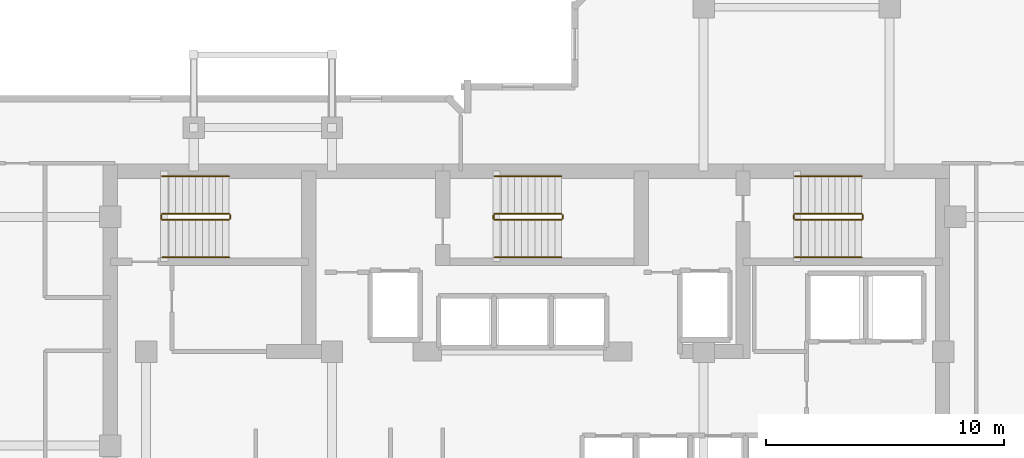
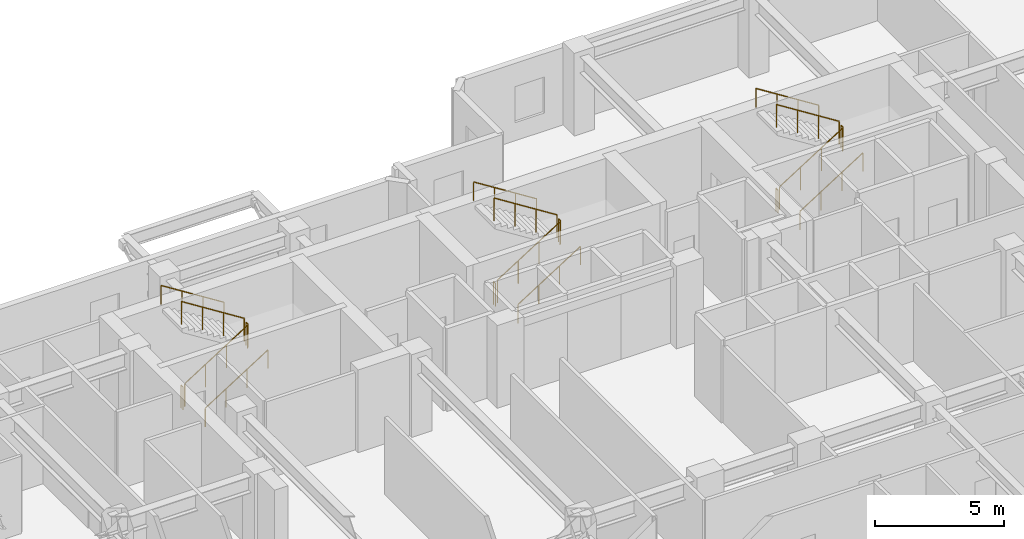
# One storey, part 11 of 11: 18 railings.
"""IFC4 building model written with IfcOpenShell, lengths in metres."""

from ifc_helpers import new_model, si_unit, direction, frame, origin, origin_2d, place, context, subcontext, project, spatial, circle, extrude, material, type_object, element, save


model = new_model("IFC4")

# Units and contexts
model_context = context("Model", 3, precision=1e-05, world=origin(), true_north=direction((0.0, 1.0)))
body_context = subcontext(model_context, "Body", "Model", "MODEL_VIEW")
ifc_project = project(units=[si_unit("LENGTHUNIT", "METRE"), si_unit("AREAUNIT", "SQUARE_METRE"), si_unit("VOLUMEUNIT", "CUBIC_METRE"), si_unit("PLANEANGLEUNIT", "RADIAN"), si_unit("MASSUNIT", "GRAM", prefix="KILO")], contexts=[model_context])

# Site, building, storey
site_placement = place(None, origin())
site = spatial("IfcSite", under=ifc_project, at=site_placement, CompositionType="ELEMENT")
building_placement = place(site_placement, origin())
building = spatial("IfcBuilding", under=site, at=building_placement, Name="Kestravale Grand Hotel", CompositionType="ELEMENT")
storey_placement = place(building_placement, frame((0.0, 0.0, 208.5)))
storey = spatial("IfcBuildingStorey", under=building, at=storey_placement, Name="L52", CompositionType="ELEMENT", Elevation=208.5)

# Railings
ifc_material_1 = material(Name="Painted tubular steel stair well guard", Category="steel")
railing_type_1 = type_object("IfcRailingType", Name="RL-ST-GRD1100", PredefinedType="GUARDRAIL", material=ifc_material_1)
railing_1_placement = place(storey_placement, frame((24.080078125, 38.280029296875, 0.17724609375)))
element("IfcRailing", 1, at=railing_1_placement, inside=storey, type_object=railing_type_1, Name="L52 ST-1 stair guard 1", PredefinedType="GUARDRAIL", context=body_context, shape_type="SweptSolid", body=[
    extrude(circle(Radius=0.02392578125, at=origin_2d()), frame((0.0, 0.0, 1.076171875), z_axis=(0.844887892834, 0.0, 0.53494340686), x_axis=(0.0, 1.0, 0.0)), (0.0, 0.0, 1.0), 3.313720703125),
    extrude(circle(Radius=0.02099609375, at=origin_2d()), origin(), (0.0, 0.0, 1.0), 1.052001953125),
    extrude(circle(Radius=0.02099609375, at=origin_2d()), frame((0.933349609375, 0.0, 0.5908203125)), (0.0, 0.0, 1.0), 1.052001953125),
    extrude(circle(Radius=0.02099609375, at=origin_2d()), frame((1.866455078125, 0.0, 1.181884765625)), (0.0, 0.0, 1.0), 1.052001953125),
    extrude(circle(Radius=0.02099609375, at=origin_2d()), frame((2.7998046875, 0.0, 1.772705078125)), (0.0, 0.0, 1.0), 1.052001953125),
])
railing_2_placement = place(storey_placement, frame((26.929931640625, 38.330078125, 1.949951171875)))
element("IfcRailing", 2, at=railing_2_placement, inside=storey, type_object=railing_type_1, Name="L52 ST-1 stair guard 2", PredefinedType="GUARDRAIL", context=body_context, shape_type="SweptSolid", body=[
    extrude(circle(Radius=0.02392578125, at=origin_2d()), frame((0.0, 0.0, 1.076171875), z_axis=(0.0, 1.0, 0.0), x_axis=(-1.0, 0.0, 0.0)), (0.0, 0.0, 1.0), 0.14990234375),
    extrude(circle(Radius=0.02099609375, at=origin_2d()), origin(), (0.0, 0.0, 1.0), 1.052001953125),
    extrude(circle(Radius=0.02099609375, at=origin_2d()), frame((0.0, 0.14990234375, 0.0)), (0.0, 0.0, 1.0), 1.052001953125),
])
railing_3_placement = place(storey_placement, frame((26.8798828125, 38.530029296875, 2.127197265625)))
element("IfcRailing", 3, at=railing_3_placement, inside=storey, type_object=railing_type_1, Name="L52 ST-1 stair guard 3", PredefinedType="GUARDRAIL", context=body_context, shape_type="SweptSolid", body=[
    extrude(circle(Radius=0.02392578125, at=origin_2d()), frame((0.0, 0.0, 1.076171875), z_axis=(-0.844887892834, 0.0, 0.53494340686), x_axis=(0.0, -1.0, 0.0)), (0.0, 0.0, 1.0), 3.313720703125),
    extrude(circle(Radius=0.02099609375, at=origin_2d()), origin(), (0.0, 0.0, 1.0), 1.052001953125),
    extrude(circle(Radius=0.02099609375, at=origin_2d()), frame((-0.933349609375, 0.0, 0.5908203125)), (0.0, 0.0, 1.0), 1.052001953125),
    extrude(circle(Radius=0.02099609375, at=origin_2d()), frame((-1.866455078125, 0.0, 1.181884765625)), (0.0, 0.0, 1.0), 1.052001953125),
    extrude(circle(Radius=0.02099609375, at=origin_2d()), frame((-2.7998046875, 0.0, 1.772705078125)), (0.0, 0.0, 1.0), 1.052001953125),
])
railing_4_placement = place(storey_placement, frame((24.030029296875, 38.330078125, 0.0)))
element("IfcRailing", 4, at=railing_4_placement, inside=storey, type_object=railing_type_1, Name="L52 ST-1 stair guard 4", PredefinedType="GUARDRAIL", context=body_context, shape_type="SweptSolid", body=[
    extrude(circle(Radius=0.02392578125, at=origin_2d()), frame((0.0, 0.0, 1.076171875), z_axis=(0.0, 1.0, 0.0), x_axis=(-1.0, 0.0, 0.0)), (0.0, 0.0, 1.0), 0.14990234375),
    extrude(circle(Radius=0.02099609375, at=origin_2d()), origin(), (0.0, 0.0, 1.0), 1.052001953125),
    extrude(circle(Radius=0.02099609375, at=origin_2d()), frame((0.0, 0.14990234375, 0.0)), (0.0, 0.0, 1.0), 1.052001953125),
])
railing_5_placement = place(storey_placement, frame((38.030029296875, 38.280029296875, 0.17724609375)))
element("IfcRailing", 5, at=railing_5_placement, inside=storey, type_object=railing_type_1, Name="L52 ST-2 stair guard 1", PredefinedType="GUARDRAIL", context=body_context, shape_type="SweptSolid", body=[
    extrude(circle(Radius=0.02392578125, at=origin_2d()), frame((0.0, 0.0, 1.076171875), z_axis=(0.844908973607, 0.0, 0.534910110503), x_axis=(0.0, 1.0, 0.0)), (0.0, 0.0, 1.0), 3.31396484375),
    extrude(circle(Radius=0.02099609375, at=origin_2d()), origin(), (0.0, 0.0, 1.0), 1.052001953125),
    extrude(circle(Radius=0.02099609375, at=origin_2d()), frame((0.933349609375, 0.0, 0.5908203125)), (0.0, 0.0, 1.0), 1.052001953125),
    extrude(circle(Radius=0.02099609375, at=origin_2d()), frame((1.86669921875, 0.0, 1.181884765625)), (0.0, 0.0, 1.0), 1.052001953125),
    extrude(circle(Radius=0.02099609375, at=origin_2d()), frame((2.800048828125, 0.0, 1.772705078125)), (0.0, 0.0, 1.0), 1.052001953125),
])
railing_6_placement = place(storey_placement, frame((40.8798828125, 38.330078125, 1.949951171875)))
element("IfcRailing", 6, at=railing_6_placement, inside=storey, type_object=railing_type_1, Name="L52 ST-2 stair guard 2", PredefinedType="GUARDRAIL", context=body_context, shape_type="SweptSolid", body=[
    extrude(circle(Radius=0.02392578125, at=origin_2d()), frame((0.0, 0.0, 1.076171875), z_axis=(0.0, 1.0, 0.0), x_axis=(-1.0, 0.0, 0.0)), (0.0, 0.0, 1.0), 0.14990234375),
    extrude(circle(Radius=0.02099609375, at=origin_2d()), origin(), (0.0, 0.0, 1.0), 1.052001953125),
    extrude(circle(Radius=0.02099609375, at=origin_2d()), frame((0.0, 0.14990234375, 0.0)), (0.0, 0.0, 1.0), 1.052001953125),
])
railing_7_placement = place(storey_placement, frame((40.830078125, 38.530029296875, 2.127197265625)))
element("IfcRailing", 7, at=railing_7_placement, inside=storey, type_object=railing_type_1, Name="L52 ST-2 stair guard 3", PredefinedType="GUARDRAIL", context=body_context, shape_type="SweptSolid", body=[
    extrude(circle(Radius=0.02392578125, at=origin_2d()), frame((0.0, 0.0, 1.076171875), z_axis=(-0.844908973607, 0.0, 0.534910110503), x_axis=(0.0, -1.0, 0.0)), (0.0, 0.0, 1.0), 3.31396484375),
    extrude(circle(Radius=0.02099609375, at=origin_2d()), origin(), (0.0, 0.0, 1.0), 1.052001953125),
    extrude(circle(Radius=0.02099609375, at=origin_2d()), frame((-0.933349609375, 0.0, 0.5908203125)), (0.0, 0.0, 1.0), 1.052001953125),
    extrude(circle(Radius=0.02099609375, at=origin_2d()), frame((-1.86669921875, 0.0, 1.181884765625)), (0.0, 0.0, 1.0), 1.052001953125),
    extrude(circle(Radius=0.02099609375, at=origin_2d()), frame((-2.800048828125, 0.0, 1.772705078125)), (0.0, 0.0, 1.0), 1.052001953125),
])
railing_8_placement = place(storey_placement, frame((37.97998046875, 38.330078125, 0.0)))
element("IfcRailing", 8, at=railing_8_placement, inside=storey, type_object=railing_type_1, Name="L52 ST-2 stair guard 4", PredefinedType="GUARDRAIL", context=body_context, shape_type="SweptSolid", body=[
    extrude(circle(Radius=0.02392578125, at=origin_2d()), frame((0.0, 0.0, 1.076171875), z_axis=(0.0, 1.0, 0.0), x_axis=(-1.0, 0.0, 0.0)), (0.0, 0.0, 1.0), 0.14990234375),
    extrude(circle(Radius=0.02099609375, at=origin_2d()), origin(), (0.0, 0.0, 1.0), 1.052001953125),
    extrude(circle(Radius=0.02099609375, at=origin_2d()), frame((0.0, 0.14990234375, 0.0)), (0.0, 0.0, 1.0), 1.052001953125),
])
railing_9_placement = place(storey_placement, frame((50.6298828125, 38.280029296875, 0.17724609375)))
element("IfcRailing", 9, at=railing_9_placement, inside=storey, type_object=railing_type_1, Name="L52 ST-3 stair guard 1", PredefinedType="GUARDRAIL", context=body_context, shape_type="SweptSolid", body=[
    extrude(circle(Radius=0.02392578125, at=origin_2d()), frame((0.0, 0.0, 1.076171875), z_axis=(0.844908973607, 0.0, 0.534910110503), x_axis=(0.0, 1.0, 0.0)), (0.0, 0.0, 1.0), 3.31396484375),
    extrude(circle(Radius=0.02099609375, at=origin_2d()), origin(), (0.0, 0.0, 1.0), 1.052001953125),
    extrude(circle(Radius=0.02099609375, at=origin_2d()), frame((0.933349609375, 0.0, 0.5908203125)), (0.0, 0.0, 1.0), 1.052001953125),
    extrude(circle(Radius=0.02099609375, at=origin_2d()), frame((1.86669921875, 0.0, 1.181884765625)), (0.0, 0.0, 1.0), 1.052001953125),
    extrude(circle(Radius=0.02099609375, at=origin_2d()), frame((2.800048828125, 0.0, 1.772705078125)), (0.0, 0.0, 1.0), 1.052001953125),
])
railing_10_placement = place(storey_placement, frame((53.47998046875, 38.330078125, 1.949951171875)))
element("IfcRailing", 10, at=railing_10_placement, inside=storey, type_object=railing_type_1, Name="L52 ST-3 stair guard 2", PredefinedType="GUARDRAIL", context=body_context, shape_type="SweptSolid", body=[
    extrude(circle(Radius=0.02392578125, at=origin_2d()), frame((0.0, 0.0, 1.076171875), z_axis=(0.0, 1.0, 0.0), x_axis=(-1.0, 0.0, 0.0)), (0.0, 0.0, 1.0), 0.14990234375),
    extrude(circle(Radius=0.02099609375, at=origin_2d()), origin(), (0.0, 0.0, 1.0), 1.052001953125),
    extrude(circle(Radius=0.02099609375, at=origin_2d()), frame((0.0, 0.14990234375, 0.0)), (0.0, 0.0, 1.0), 1.052001953125),
])
railing_11_placement = place(storey_placement, frame((53.429931640625, 38.530029296875, 2.127197265625)))
element("IfcRailing", 11, at=railing_11_placement, inside=storey, type_object=railing_type_1, Name="L52 ST-3 stair guard 3", PredefinedType="GUARDRAIL", context=body_context, shape_type="SweptSolid", body=[
    extrude(circle(Radius=0.02392578125, at=origin_2d()), frame((0.0, 0.0, 1.076171875), z_axis=(-0.844908973607, 0.0, 0.534910110503), x_axis=(0.0, -1.0, 0.0)), (0.0, 0.0, 1.0), 3.31396484375),
    extrude(circle(Radius=0.02099609375, at=origin_2d()), origin(), (0.0, 0.0, 1.0), 1.052001953125),
    extrude(circle(Radius=0.02099609375, at=origin_2d()), frame((-0.933349609375, 0.0, 0.5908203125)), (0.0, 0.0, 1.0), 1.052001953125),
    extrude(circle(Radius=0.02099609375, at=origin_2d()), frame((-1.86669921875, 0.0, 1.181884765625)), (0.0, 0.0, 1.0), 1.052001953125),
    extrude(circle(Radius=0.02099609375, at=origin_2d()), frame((-2.800048828125, 0.0, 1.772705078125)), (0.0, 0.0, 1.0), 1.052001953125),
])
railing_12_placement = place(storey_placement, frame((50.580078125, 38.330078125, 0.0)))
element("IfcRailing", 12, at=railing_12_placement, inside=storey, type_object=railing_type_1, Name="L52 ST-3 stair guard 4", PredefinedType="GUARDRAIL", context=body_context, shape_type="SweptSolid", body=[
    extrude(circle(Radius=0.02392578125, at=origin_2d()), frame((0.0, 0.0, 1.076171875), z_axis=(0.0, 1.0, 0.0), x_axis=(-1.0, 0.0, 0.0)), (0.0, 0.0, 1.0), 0.14990234375),
    extrude(circle(Radius=0.02099609375, at=origin_2d()), origin(), (0.0, 0.0, 1.0), 1.052001953125),
    extrude(circle(Radius=0.02099609375, at=origin_2d()), frame((0.0, 0.14990234375, 0.0)), (0.0, 0.0, 1.0), 1.052001953125),
])
ifc_material_2 = material(Name="Brushed stainless steel wall handrail", Category="steel")
railing_type_2 = type_object("IfcRailingType", Name="RL-ST-HND900", PredefinedType="HANDRAIL", material=ifc_material_2)
railing_13_placement = place(storey_placement, frame((24.080078125, 36.699951171875, 0.17724609375)))
element("IfcRailing", 13, at=railing_13_placement, inside=storey, type_object=railing_type_2, Name="L52 ST-1 stair handrail 1", PredefinedType="HANDRAIL", context=body_context, shape_type="SweptSolid", body=[
    extrude(circle(Radius=0.02392578125, at=origin_2d()), frame((0.0, 0.0, 0.8759765625), z_axis=(0.844887892834, 0.0, 0.53494340686), x_axis=(0.0, 1.0, 0.0)), (0.0, 0.0, 1.0), 3.313720703125),
    extrude(circle(Radius=0.02099609375, at=origin_2d()), origin(), (0.0, 0.0, 1.0), 0.851806640625),
    extrude(circle(Radius=0.02099609375, at=origin_2d()), frame((0.933349609375, 0.0, 0.5908203125)), (0.0, 0.0, 1.0), 0.851806640625),
    extrude(circle(Radius=0.02099609375, at=origin_2d()), frame((1.866455078125, 0.0, 1.181884765625)), (0.0, 0.0, 1.0), 0.851806640625),
    extrude(circle(Radius=0.02099609375, at=origin_2d()), frame((2.7998046875, 0.0, 1.772705078125)), (0.0, 0.0, 1.0), 0.851806640625),
])
railing_14_placement = place(storey_placement, frame((26.8798828125, 40.110107421875, 2.127197265625)))
element("IfcRailing", 14, at=railing_14_placement, inside=storey, type_object=railing_type_2, Name="L52 ST-1 stair handrail 2", PredefinedType="HANDRAIL", context=body_context, shape_type="SweptSolid", body=[
    extrude(circle(Radius=0.02392578125, at=origin_2d()), frame((0.0, 0.0, 0.8759765625), z_axis=(-0.844887892834, 0.0, 0.53494340686), x_axis=(0.0, -1.0, 0.0)), (0.0, 0.0, 1.0), 3.313720703125),
    extrude(circle(Radius=0.02099609375, at=origin_2d()), origin(), (0.0, 0.0, 1.0), 0.851806640625),
    extrude(circle(Radius=0.02099609375, at=origin_2d()), frame((-0.933349609375, 0.0, 0.5908203125)), (0.0, 0.0, 1.0), 0.851806640625),
    extrude(circle(Radius=0.02099609375, at=origin_2d()), frame((-1.866455078125, 0.0, 1.181884765625)), (0.0, 0.0, 1.0), 0.851806640625),
    extrude(circle(Radius=0.02099609375, at=origin_2d()), frame((-2.7998046875, 0.0, 1.772705078125)), (0.0, 0.0, 1.0), 0.851806640625),
])
railing_15_placement = place(storey_placement, frame((38.030029296875, 36.699951171875, 0.17724609375)))
element("IfcRailing", 15, at=railing_15_placement, inside=storey, type_object=railing_type_2, Name="L52 ST-2 stair handrail 1", PredefinedType="HANDRAIL", context=body_context, shape_type="SweptSolid", body=[
    extrude(circle(Radius=0.02392578125, at=origin_2d()), frame((0.0, 0.0, 0.8759765625), z_axis=(0.844908973607, 0.0, 0.534910110503), x_axis=(0.0, 1.0, 0.0)), (0.0, 0.0, 1.0), 3.31396484375),
    extrude(circle(Radius=0.02099609375, at=origin_2d()), origin(), (0.0, 0.0, 1.0), 0.851806640625),
    extrude(circle(Radius=0.02099609375, at=origin_2d()), frame((0.933349609375, 0.0, 0.5908203125)), (0.0, 0.0, 1.0), 0.851806640625),
    extrude(circle(Radius=0.02099609375, at=origin_2d()), frame((1.86669921875, 0.0, 1.181884765625)), (0.0, 0.0, 1.0), 0.851806640625),
    extrude(circle(Radius=0.02099609375, at=origin_2d()), frame((2.800048828125, 0.0, 1.772705078125)), (0.0, 0.0, 1.0), 0.851806640625),
])
railing_16_placement = place(storey_placement, frame((40.830078125, 40.110107421875, 2.127197265625)))
element("IfcRailing", 16, at=railing_16_placement, inside=storey, type_object=railing_type_2, Name="L52 ST-2 stair handrail 2", PredefinedType="HANDRAIL", context=body_context, shape_type="SweptSolid", body=[
    extrude(circle(Radius=0.02392578125, at=origin_2d()), frame((0.0, 0.0, 0.8759765625), z_axis=(-0.844908973607, 0.0, 0.534910110503), x_axis=(0.0, -1.0, 0.0)), (0.0, 0.0, 1.0), 3.31396484375),
    extrude(circle(Radius=0.02099609375, at=origin_2d()), origin(), (0.0, 0.0, 1.0), 0.851806640625),
    extrude(circle(Radius=0.02099609375, at=origin_2d()), frame((-0.933349609375, 0.0, 0.5908203125)), (0.0, 0.0, 1.0), 0.851806640625),
    extrude(circle(Radius=0.02099609375, at=origin_2d()), frame((-1.86669921875, 0.0, 1.181884765625)), (0.0, 0.0, 1.0), 0.851806640625),
    extrude(circle(Radius=0.02099609375, at=origin_2d()), frame((-2.800048828125, 0.0, 1.772705078125)), (0.0, 0.0, 1.0), 0.851806640625),
])
railing_17_placement = place(storey_placement, frame((50.6298828125, 36.699951171875, 0.17724609375)))
element("IfcRailing", 17, at=railing_17_placement, inside=storey, type_object=railing_type_2, Name="L52 ST-3 stair handrail 1", PredefinedType="HANDRAIL", context=body_context, shape_type="SweptSolid", body=[
    extrude(circle(Radius=0.02392578125, at=origin_2d()), frame((0.0, 0.0, 0.8759765625), z_axis=(0.844908973607, 0.0, 0.534910110503), x_axis=(0.0, 1.0, 0.0)), (0.0, 0.0, 1.0), 3.31396484375),
    extrude(circle(Radius=0.02099609375, at=origin_2d()), origin(), (0.0, 0.0, 1.0), 0.851806640625),
    extrude(circle(Radius=0.02099609375, at=origin_2d()), frame((0.933349609375, 0.0, 0.5908203125)), (0.0, 0.0, 1.0), 0.851806640625),
    extrude(circle(Radius=0.02099609375, at=origin_2d()), frame((1.86669921875, 0.0, 1.181884765625)), (0.0, 0.0, 1.0), 0.851806640625),
    extrude(circle(Radius=0.02099609375, at=origin_2d()), frame((2.800048828125, 0.0, 1.772705078125)), (0.0, 0.0, 1.0), 0.851806640625),
])
railing_18_placement = place(storey_placement, frame((53.429931640625, 40.110107421875, 2.127197265625)))
element("IfcRailing", 18, at=railing_18_placement, inside=storey, type_object=railing_type_2, Name="L52 ST-3 stair handrail 2", PredefinedType="HANDRAIL", context=body_context, shape_type="SweptSolid", body=[
    extrude(circle(Radius=0.02392578125, at=origin_2d()), frame((0.0, 0.0, 0.8759765625), z_axis=(-0.844908973607, 0.0, 0.534910110503), x_axis=(0.0, -1.0, 0.0)), (0.0, 0.0, 1.0), 3.31396484375),
    extrude(circle(Radius=0.02099609375, at=origin_2d()), origin(), (0.0, 0.0, 1.0), 0.851806640625),
    extrude(circle(Radius=0.02099609375, at=origin_2d()), frame((-0.933349609375, 0.0, 0.5908203125)), (0.0, 0.0, 1.0), 0.851806640625),
    extrude(circle(Radius=0.02099609375, at=origin_2d()), frame((-1.86669921875, 0.0, 1.181884765625)), (0.0, 0.0, 1.0), 0.851806640625),
    extrude(circle(Radius=0.02099609375, at=origin_2d()), frame((-2.800048828125, 0.0, 1.772705078125)), (0.0, 0.0, 1.0), 0.851806640625),
])

save(model, "model.ifc")
